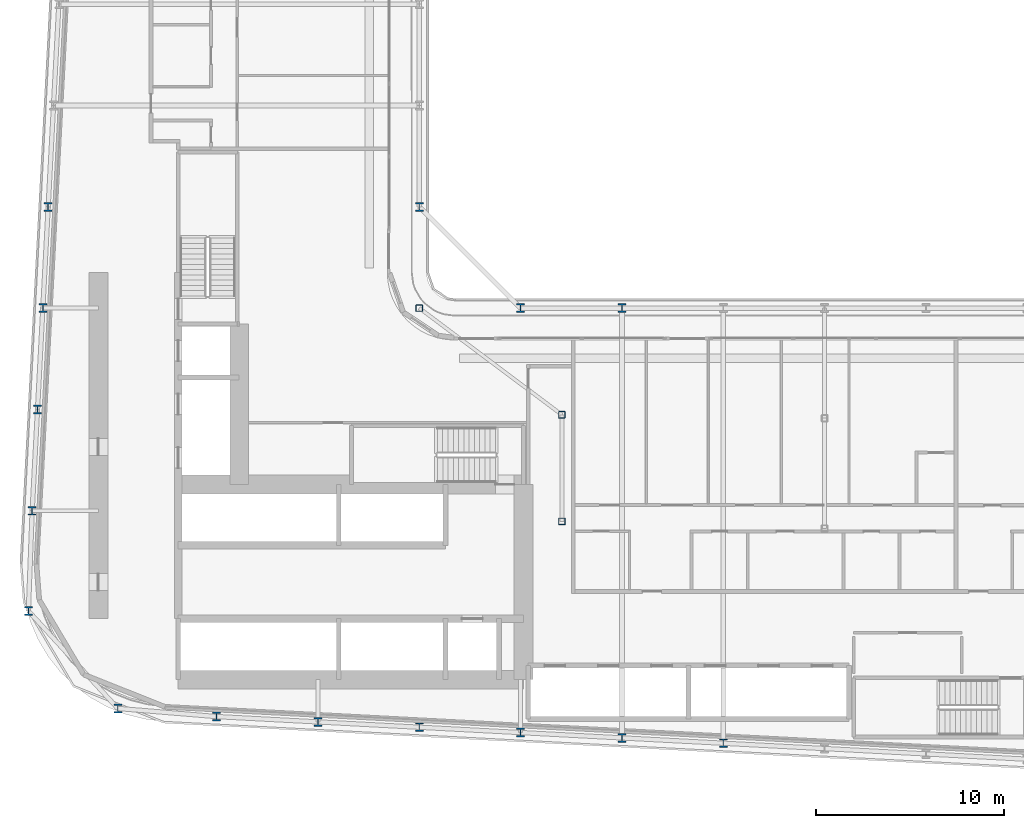
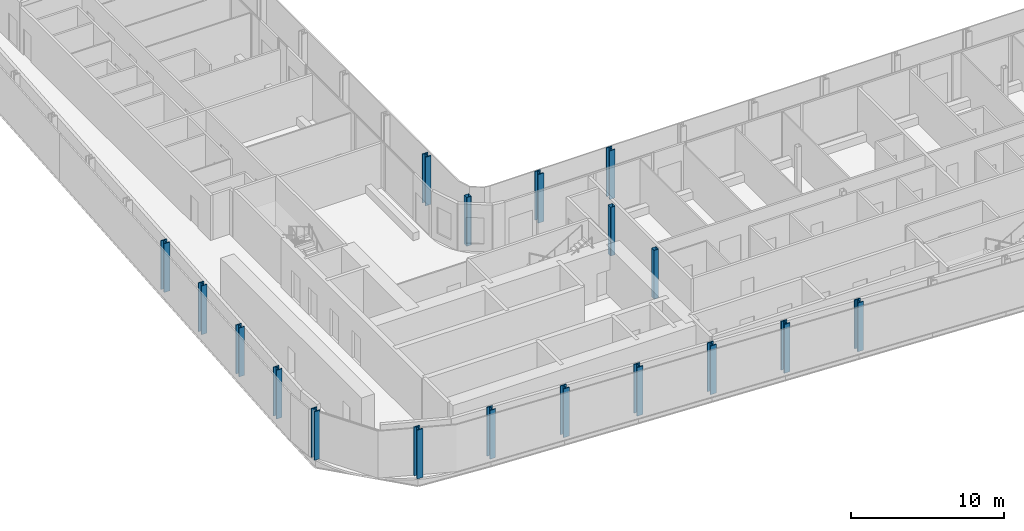
# One storey, part 1 of 27: 18 columns.
"""IFC4 building model written with IfcOpenShell, lengths in metres."""

from ifc_helpers import new_model, si_unit, direction, frame, origin, origin_2d, place, context, subcontext, project, spatial, hollow_rectangle, i_section, extrude, material, material_profile, profile_set, type_object, element, save


model = new_model("IFC4")

# Units and contexts
model_context = context("Model", 3, precision=1e-05, world=origin(), true_north=direction((0.0, 1.0)))
body_context = subcontext(model_context, "Body", "Model", "MODEL_VIEW")
ifc_project = project(units=[si_unit("LENGTHUNIT", "METRE"), si_unit("AREAUNIT", "SQUARE_METRE"), si_unit("VOLUMEUNIT", "CUBIC_METRE"), si_unit("PLANEANGLEUNIT", "RADIAN"), si_unit("MASSUNIT", "GRAM", prefix="KILO")], contexts=[model_context])

# Site, building, storey
site_placement = place(None, origin())
site = spatial("IfcSite", under=ifc_project, at=site_placement, CompositionType="ELEMENT")
building_placement = place(site_placement, origin())
building = spatial("IfcBuilding", under=site, at=building_placement, Name="Kheshtan School and Residences Tower", CompositionType="ELEMENT")
storey_placement = place(building_placement, frame((0.0, 0.0, 46.10009765625)))
storey = spatial("IfcBuildingStorey", under=building, at=storey_placement, Name="L10", CompositionType="ELEMENT", Elevation=46.10009765625)

# Columns
ifc_material_1 = material(Name="Steel ASTM A992 Grade 50", Category="steel")
ifc_material_profile_1 = material_profile(ifc_material_1, i_section(OverallWidth=0.424072265625, OverallDepth=0.47412109375, WebThickness=0.047607421875, FlangeThickness=0.0771484375, FilletRadius=0.01416015625, at=origin_2d()), Name="W360x634")
ifc_profile_set_1 = profile_set([ifc_material_profile_1], Name="Steel ASTM A992 Grade 50")
column_type_1 = type_object("IfcColumnType", Name="Column C1 W360x634 ASTM A992 Grade 50", PredefinedType="COLUMN", material=ifc_profile_set_1)
for number, where, z_axis, x_axis, name in (
    (1, (63.800048828125, 22.410888671875, 0.0), (0.0, 0.0, 1.0), (1.0, 0.0, 0.0), "Column C016"),
    (2, (58.39990234375, 22.695068359375, 0.0), (0.0, 0.0, 1.0), (1.0, 0.0, 0.0), "Column C018"),
    (3, (53.0, 22.97998046875, 0.0), (0.0, 0.0, 1.0), (1.0, 0.0, 0.0), "Column C019"),
    (4, (47.60009765625, 23.263916015625, 0.0), (0.0, 0.0, 1.0), (1.0, 0.0, 0.0), "Column C020"),
    (5, (42.199951171875, 23.548095703125, 0.0), (0.0, 0.0, 1.0), (1.0, 0.0, 0.0), "Column C021"),
    (6, (36.800048828125, 23.83203125, 0.0), (0.0, 0.0, 1.0), (1.0, 0.0, 0.0), "Column C022"),
    (7, (31.531982421875, 24.26611328125, 0.0), (0.0, 0.0, 1.0), (1.0, 0.0, 0.0), "Column C026"),
    (8, (26.76611328125, 29.458984375, 0.0), (0.0, 0.0, 1.0), (1.0, 0.0, 0.0), "Column C039"),
    (9, (26.968994140625, 34.800048828125, 0.0), (0.0, 0.0, 1.0), (1.0, 0.0, 0.0), "Column C052"),
    (10, (27.2529296875, 40.199951171875, 0.0), (0.0, 0.0, 1.0), (1.0, 0.0, 0.0), "Column C056"),
    (11, (27.537109375, 45.60009765625, 0.0), (0.0, 0.0, 1.0), (1.0, 0.0, 0.0), "Column C059"),
    (12, (53.0, 45.60009765625, 0.0), (0.0, 0.0, 1.0), (1.0, 0.0, 0.0), "Column C061"),
    (13, (58.39990234375, 45.60009765625, 0.0), (0.0, 0.0, 1.0), (1.0, 0.0, 0.0), "Column C062"),
    (14, (27.822021484375, 51.0, 0.0), (0.0, 0.0, 1.0), (1.0, 0.0, 0.0), "Column C078"),
    (15, (47.60009765625, 51.0, 0.0), (0.0, 0.0, 1.0), (1.0, 0.0, 0.0), "Column C079"),
):
    element("IfcColumn", number, at=place(storey_placement, frame(where, z_axis=z_axis, x_axis=x_axis)), inside=storey, type_object=column_type_1, Name=name, PredefinedType="COLUMN", context=body_context, shape_type="SweptSolid", body=[
        extrude(i_section(OverallWidth=0.424072265625, OverallDepth=0.47412109375, WebThickness=0.047607421875, FlangeThickness=0.0771484375, FilletRadius=0.01416015625, at=origin_2d()), origin(), (0.0, 0.0, 1.0), 3.89990234375),
    ])
ifc_material_2 = material(Name="Steel ASTM A500 Grade C", Category="steel")
ifc_material_profile_2 = material_profile(ifc_material_2, hollow_rectangle(XDim=0.35595703125, YDim=0.35595703125, WallThickness=0.015869140625, InnerFilletRadius=0.015869140625, OuterFilletRadius=0.03173828125, at=origin_2d()), Name="HSS 356x356x15.9")
ifc_profile_set_2 = profile_set([ifc_material_profile_2], Name="Steel ASTM A500 Grade C")
column_type_2 = type_object("IfcColumnType", Name="Column IC1 HSS 356x356x15.9 ASTM A500 Grade C", PredefinedType="COLUMN", material=ifc_profile_set_2)
for number, where, z_axis, x_axis, name in (
    (16, (55.199951171875, 34.23193359375, 0.0), (0.0, 0.0, 1.0), (1.0, 0.0, 0.0), "Column C051"),
    (17, (55.199951171875, 39.916015625, 0.0), (0.0, 0.0, 1.0), (1.0, 0.0, 0.0), "Column C055"),
    (18, (47.60009765625, 45.60009765625, 0.0), (0.0, 0.0, 1.0), (1.0, 0.0, 0.0), "Column C060"),
):
    element("IfcColumn", number, at=place(storey_placement, frame(where, z_axis=z_axis, x_axis=x_axis)), inside=storey, type_object=column_type_2, Name=name, PredefinedType="COLUMN", context=body_context, shape_type="SweptSolid", body=[
        extrude(hollow_rectangle(XDim=0.35595703125, YDim=0.35595703125, WallThickness=0.015869140625, InnerFilletRadius=0.015869140625, OuterFilletRadius=0.03173828125, at=origin_2d()), origin(), (0.0, 0.0, 1.0), 3.89990234375),
    ])

save(model, "model.ifc")
